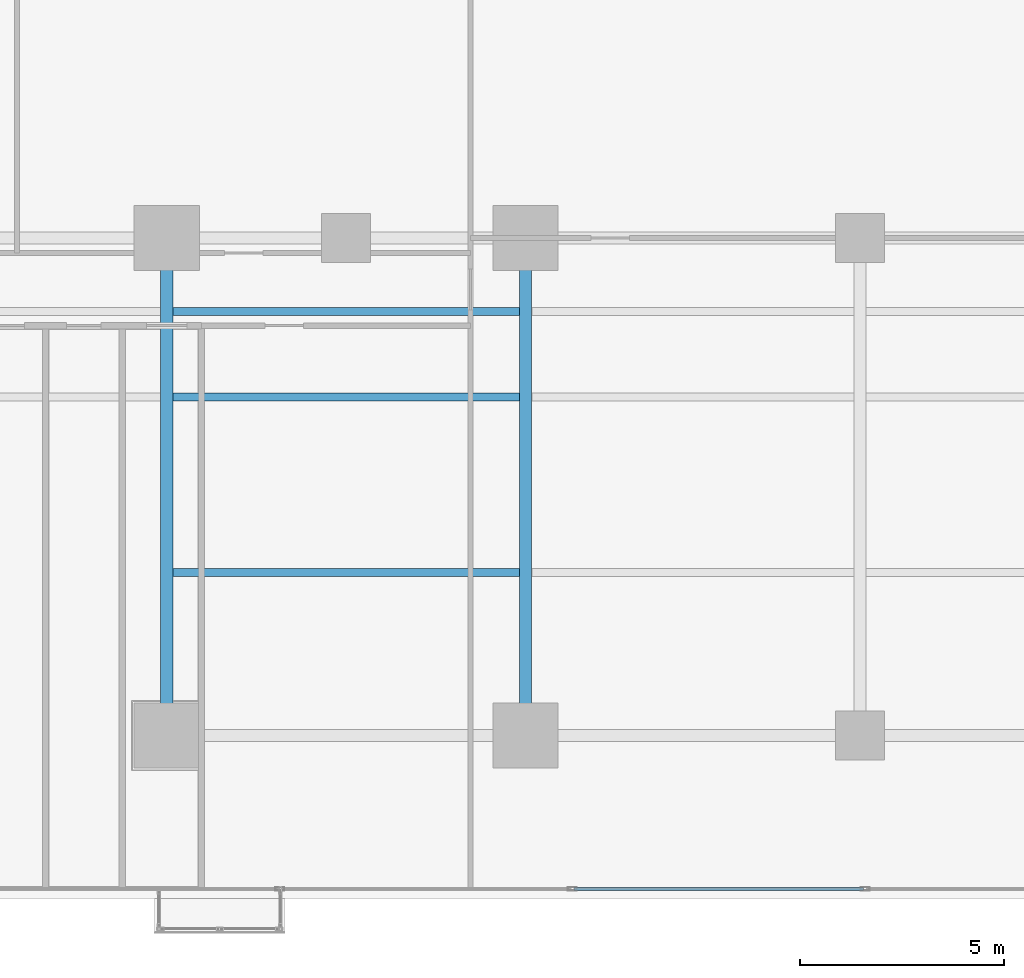
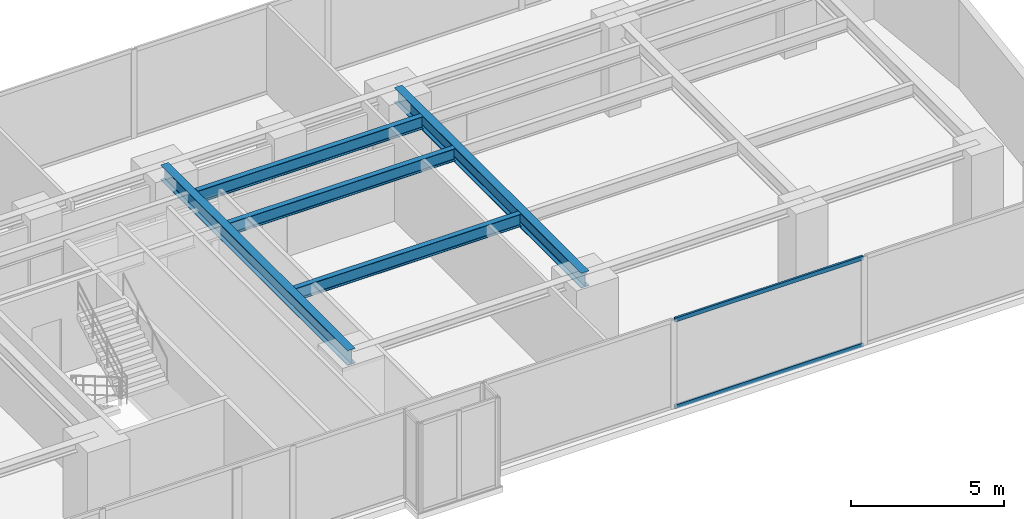
# One storey, part 10 of 28: 5 beams, 2 members, 1 element without a shape of its own.
"""IFC4 building model written with IfcOpenShell, lengths in metres."""

from ifc_helpers import new_model, si_unit, direction, frame, origin, origin_with_axes, origin_2d, place, context, subcontext, project, spatial, hollow_rectangle, i_section, extrude, source, transform, mapped, material, layer, layer_set, material_profile, profile_set, type_object, element, aggregate, save


model = new_model("IFC4")

# Units and contexts
model_context = context("Model", 3, precision=1e-05, world=origin(), true_north=direction((0.0, 1.0)))
body_context = subcontext(model_context, "Body", "Model", "MODEL_VIEW")
ifc_project = project(units=[si_unit("LENGTHUNIT", "METRE"), si_unit("AREAUNIT", "SQUARE_METRE"), si_unit("VOLUMEUNIT", "CUBIC_METRE"), si_unit("PLANEANGLEUNIT", "RADIAN"), si_unit("MASSUNIT", "GRAM", prefix="KILO")], contexts=[model_context])

# Site, building, storey
site_placement = place(None, origin())
site = spatial("IfcSite", under=ifc_project, at=site_placement, CompositionType="ELEMENT")
building_placement = place(site_placement, origin())
building = spatial("IfcBuilding", under=site, at=building_placement, Name="Kolvaren Waterfront Exchange", CompositionType="ELEMENT")
storey_placement = place(building_placement, frame((0.0, 0.0, 41.0)))
storey = spatial("IfcBuildingStorey", under=building, at=storey_placement, Name="L10", CompositionType="ELEMENT", Elevation=41.0)

# Beams
ifc_material_1 = material(Name="Steel S355", Category="steel")
ifc_material_profile_1 = material_profile(ifc_material_1, i_section(OverallWidth=0.300048828125, OverallDepth=0.60009765625, WebThickness=0.015380859375, FlangeThickness=0.030029296875, FilletRadius=0.027099609375, at=origin_2d()), Name="HEB600")
ifc_profile_set_1 = profile_set([ifc_material_profile_1], Name="Steel S355")
beam_type_1 = type_object("IfcBeamType", Name="STR-BM-HEB600", PredefinedType="BEAM", material=ifc_profile_set_1)
for number, where, z_axis, x_axis, name in (
    (1, (36.800048828125, 5.199951171875, 3.239990234375), (0.0, 1.0, 0.0), (-1.0, 0.0, 0.0), "L10 east-arm transverse girder X36"),
    (2, (45.60009765625, 5.199951171875, 3.239990234375), (0.0, 1.0, 0.0), (-1.0, 0.0, 0.0), "L10 east-arm transverse girder X45"),
):
    element("IfcBeam", number, at=place(storey_placement, frame(where, z_axis=z_axis, x_axis=x_axis)), inside=storey, type_object=beam_type_1, Name=name, PredefinedType="BEAM", context=body_context, shape_type="SweptSolid", body=[
        extrude(i_section(OverallWidth=0.300048828125, OverallDepth=0.60009765625, WebThickness=0.015380859375, FlangeThickness=0.030029296875, FilletRadius=0.027099609375, at=origin_2d()), origin(), (0.0, 0.0, 1.0), 12.199951171875),
    ])
ifc_material_profile_2 = material_profile(ifc_material_1, i_section(OverallWidth=0.199951171875, OverallDepth=0.5, WebThickness=0.01025390625, FlangeThickness=0.01611328125, FilletRadius=0.02099609375, at=origin_2d()), Name="IPE500")
ifc_profile_set_2 = profile_set([ifc_material_profile_2], Name="Steel S355")
beam_type_2 = type_object("IfcBeamType", Name="STR-BM-IPE500", PredefinedType="JOIST", material=ifc_profile_set_2)
for number, where, z_axis, x_axis, name in (
    (3, (36.951904296875, 13.5, 3.2900390625), (1.0, 0.0, 0.0), (0.0, 1.0, 0.0), "L10 east-arm composite joist 3A"),
    (4, (36.951904296875, 15.60009765625, 3.2900390625), (1.0, 0.0, 0.0), (0.0, 1.0, 0.0), "L10 east-arm composite joist 3C"),
    (5, (36.951904296875, 9.199951171875, 3.2900390625), (1.0, 0.0, 0.0), (0.0, 1.0, 0.0), "L10 east-arm composite joist 3B"),
):
    element("IfcBeam", number, at=place(storey_placement, frame(where, z_axis=z_axis, x_axis=x_axis)), inside=storey, type_object=beam_type_2, Name=name, PredefinedType="JOIST", context=body_context, shape_type="SweptSolid", body=[
        extrude(i_section(OverallWidth=0.199951171875, OverallDepth=0.5, WebThickness=0.01025390625, FlangeThickness=0.01611328125, FilletRadius=0.02099609375, at=origin_2d()), origin(), (0.0, 0.0, 1.0), 8.49609375),
    ])

# Curtain wall, members
ifc_material_2 = material(Name="Anodised bronze aluminium 6063-T6", Category="aluminium")
ifc_layer = layer(ifc_material_2, 0.219970703125, Name="Anodised bronze aluminium 6063-T6")
ifc_layer_set = layer_set([ifc_layer], Name="Anodised bronze aluminium 6063-T6")
curtain_wall_type = type_object("IfcCurtainWallType", Name="ARC-CW-SYS1", PredefinedType="USERDEFINED", material=ifc_layer_set)
curtain_wall_placement = place(storey_placement, origin())
curtain_wall = element("IfcCurtainWall", 6, at=curtain_wall_placement, inside=storey, type_object=curtain_wall_type, Name="L10 stick curtain wall CW1 (CW-L10-S)", ObjectType="STICK CURTAIN WALL", PredefinedType="USERDEFINED")
ifc_material_3 = material(Name="Anodised aluminium 6063-T6", Category="aluminium")
ifc_material_profile_3 = material_profile(ifc_material_3, hollow_rectangle(XDim=0.074951171875, YDim=0.159912109375, WallThickness=0.00439453125, at=origin_2d()), Name="ALU-TRN-160x75x4.5")
ifc_profile_set_3 = profile_set([ifc_material_profile_3], Name="Anodised aluminium 6063-T6")
member_type = type_object("IfcMemberType", Name="ARC-CWT-160", PredefinedType="USERDEFINED", material=ifc_profile_set_3)
shared_shape = source(origin_with_axes(), body_context, "Body", "SweptSolid", [
    extrude(hollow_rectangle(XDim=0.074951171875, YDim=0.159912109375, WallThickness=0.00439453125, at=origin_2d()), origin(), (0.0, 0.0, 1.0), 7.094970703125),
])
member_1_placement = place(storey_placement, frame((46.7900390625, 1.43994140625, 0.03759765625), z_axis=(1.0, 0.0, 0.0), x_axis=(0.0, 1.0, 0.0)))
member_1 = element("IfcMember", 7, at=member_1_placement, type_object=member_type, Name="CW1 transom 7.1", ObjectType="TRANSOM", PredefinedType="USERDEFINED", context=body_context, shape_type="MappedRepresentation", body=[
    mapped(shared_shape, transform((0.0, 0.0, 0.0), x_axis=(1.0, 0.0, 0.0), y_axis=(0.0, 1.0, 0.0), z_axis=(0.0, 0.0, 1.0), scale=1.0)),
])
member_2_placement = place(storey_placement, frame((46.7900390625, 1.43994140625, 3.50244140625), z_axis=(1.0, 0.0, 0.0), x_axis=(0.0, 1.0, 0.0)))
member_2 = element("IfcMember", 8, at=member_2_placement, type_object=member_type, Name="CW1 transom 7.2", ObjectType="TRANSOM", PredefinedType="USERDEFINED", context=body_context, shape_type="MappedRepresentation", body=[
    mapped(shared_shape, transform((0.0, 0.0, 0.0), x_axis=(1.0, 0.0, 0.0), y_axis=(0.0, 1.0, 0.0), z_axis=(0.0, 0.0, 1.0), scale=1.0)),
])
aggregate(curtain_wall, [member_1, member_2])

save(model, "model.ifc")
